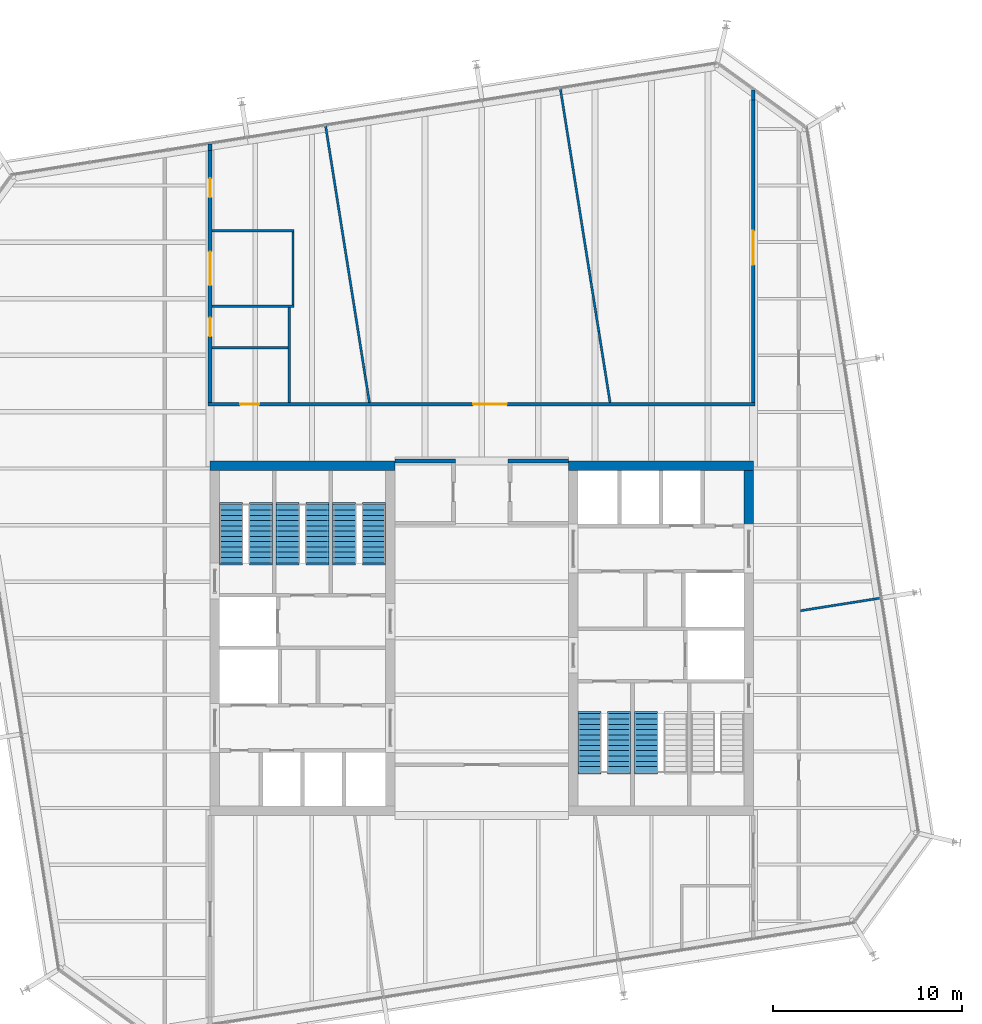
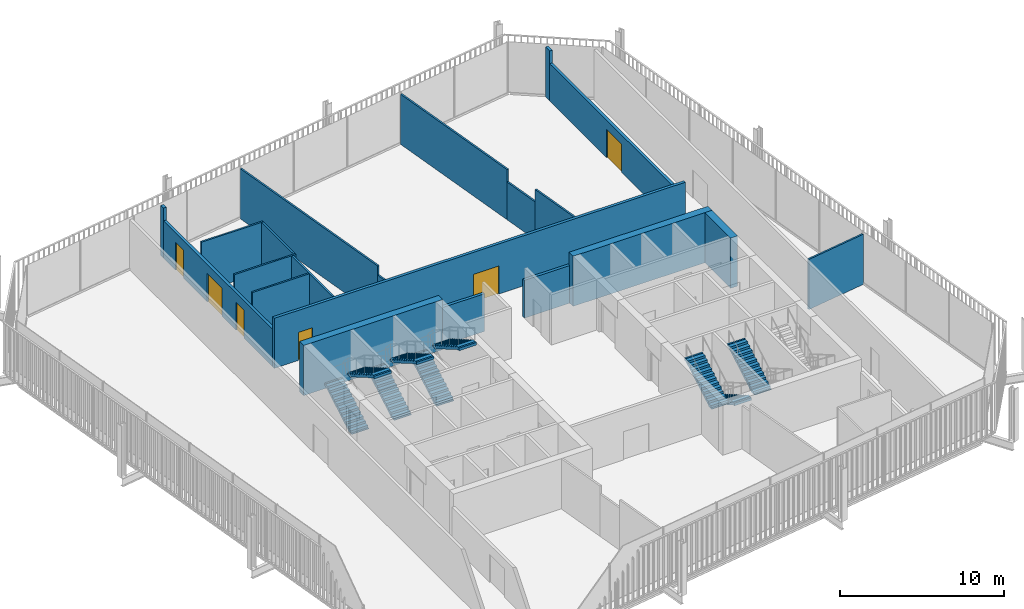
# One storey, part 18 of 20: 21 walls, 9 stair flights, 6 doors, 6 openings, 5 elements without a shape of their own.
"""IFC4 building model written with IfcOpenShell, lengths in metres."""

from ifc_helpers import new_model, si_unit, direction, frame, frame_2d, origin, place, context, subcontext, project, spatial, polyline, rectangle, outline, extrude, material, layer, layer_set, type_object, element, fill, aggregate, save


model = new_model("IFC4")

# Units and contexts
model_context = context("Model", 3, precision=1e-05, world=origin(), true_north=direction((0.0, 1.0)))
body_context = subcontext(model_context, "Body", "Model", "MODEL_VIEW")
ifc_project = project(units=[si_unit("LENGTHUNIT", "METRE"), si_unit("AREAUNIT", "SQUARE_METRE"), si_unit("VOLUMEUNIT", "CUBIC_METRE"), si_unit("PLANEANGLEUNIT", "RADIAN"), si_unit("MASSUNIT", "GRAM", prefix="KILO")], contexts=[model_context])

# Site, building, storey
site_placement = place(None, origin())
site = spatial("IfcSite", under=ifc_project, at=site_placement, CompositionType="ELEMENT")
building_placement = place(site_placement, origin())
building = spatial("IfcBuilding", under=site, at=building_placement, Name="Millrace Tower", CompositionType="ELEMENT")
storey_placement = place(building_placement, frame((0.0, 0.0, 232.0)))
storey = spatial("IfcBuildingStorey", under=building, at=storey_placement, Name="L53", CompositionType="ELEMENT", Elevation=232.0)

# Walls
ifc_material_1 = material(Name="Concrete C60", Category="concrete")
ifc_layer_1 = layer(ifc_material_1, 0.5)
ifc_layer_set_1 = layer_set([ifc_layer_1], Name="Concrete C60")
wall_type_1 = type_object("IfcWallType", Name="Core wall 500 Concrete C60", PredefinedType="SHEAR", material=ifc_layer_set_1)
for number, where, z_axis, x_axis, name in (
    (1, (-14.39990234375, 9.14990234375, 0.0), (0.0, 0.0, 1.0), (1.0, 0.0, 0.0), "Core wall W L53"),
    (2, (14.39990234375, 9.14990234375, 0.0), (0.0, 0.0, 1.0), (-1.0, 0.0, 0.0), "Core wall E L53"),
):
    element("IfcWall", number, at=place(storey_placement, frame(where, z_axis=z_axis, x_axis=x_axis)), inside=storey, type_object=wall_type_1, Name=name, PredefinedType="SHEAR", context=body_context, shape_type="SweptSolid", body=[
        extrude(rectangle(XDim=9.7998046875, YDim=0.5, at=frame_2d((4.89990234375, 0.0))), origin(), (0.0, 0.0, 1.0), 3.739990234375),
    ])
wall_1_placement = place(storey_placement, frame((14.14990234375, 8.89990234375, 0.0), z_axis=(0.0, 0.0, 1.0), x_axis=(0.0, -1.0, 0.0)))
element("IfcWall", 3, at=wall_1_placement, inside=storey, type_object=wall_type_1, Name="Core wall E L53", PredefinedType="SHEAR", context=body_context, shape_type="SweptSolid", body=[
    extrude(rectangle(XDim=3.14990234375, YDim=0.5, at=frame_2d((1.574951171875, 0.0))), origin(), (0.0, 0.0, 1.0), 3.739990234375),
])
ifc_material_2 = material(Name="Masonry partition, fire-rated", Category="masonry")
ifc_layer_2 = layer(ifc_material_2, 0.199951171875)
ifc_layer_set_2 = layer_set([ifc_layer_2], Name="Masonry partition, fire-rated")
wall_type_2 = type_object("IfcWallType", Name="Corridor wall 200", PredefinedType="PARTITIONING", material=ifc_layer_set_2)
for number, where, z_axis, x_axis, name in (
    (4, (-4.60009765625, 9.39990234375, 0.0), (0.0, 0.0, 1.0), (1.0, 0.0, 0.0), "Corridor wall L53"),
    (5, (1.39990234375, 9.39990234375, 0.0), (0.0, 0.0, 1.0), (1.0, 0.0, 0.0), "Corridor wall L53"),
):
    element("IfcWall", number, at=place(storey_placement, frame(where, z_axis=z_axis, x_axis=x_axis)), inside=storey, type_object=wall_type_2, Name=name, PredefinedType="PARTITIONING", context=body_context, shape_type="SweptSolid", body=[
        extrude(rectangle(XDim=3.2001953125, YDim=0.199951171875, at=frame_2d((1.60009765625, 0.0))), origin(), (0.0, 0.0, 1.0), 2.81298828125),
    ])

# Wall, openings, doors
wall_2_placement = place(storey_placement, frame((-14.5, 12.39990234375, 0.0), z_axis=(0.0, 0.0, 1.0), x_axis=(1.0, 0.0, 0.0)))
wall_2 = element("IfcWall", 6, at=wall_2_placement, inside=storey, type_object=wall_type_2, Name="Corridor wall L53", PredefinedType="PARTITIONING", context=body_context, shape_type="SweptSolid", body=[
    extrude(rectangle(XDim=29.0, YDim=0.199951171875, at=frame_2d((14.5, 0.0))), origin(), (0.0, 0.0, 1.0), 3.739990234375),
])
opening_1_placement = place(wall_2_placement, frame((1.699951171875, 0.0, 0.0)))
opening_1 = element("IfcOpeningElement", 7, at=opening_1_placement, cuts=wall_2, Name="Opening 53-P005", PredefinedType="OPENING", context=body_context, shape_type="SweptSolid", body=[
    extrude(rectangle(XDim=1.0, YDim=2.10009765625, at=frame_2d((0.5, 1.050048828125))), frame((0.0, 0.10986328125, 0.0), z_axis=(0.0, -1.0, 0.0), x_axis=(1.0, 0.0, 0.0)), (0.0, 0.0, 1.0), 0.219970703125),
])
opening_2_placement = place(wall_2_placement, frame((14.04052734375, 0.0, 0.0)))
opening_2 = element("IfcOpeningElement", 8, at=opening_2_placement, cuts=wall_2, Name="Opening 53-P008", PredefinedType="OPENING", context=body_context, shape_type="SweptSolid", body=[
    extrude(rectangle(XDim=1.800048828125, YDim=2.10009765625, at=frame_2d((0.89990234375, 1.050048828125))), frame((0.0, 0.10986328125, 0.0), z_axis=(0.0, -1.0, 0.0), x_axis=(1.0, 0.0, 0.0)), (0.0, 0.0, 1.0), 0.219970703125),
])
ifc_material_3 = material(Name="Steel door set, fire-rated", Category="steel")
door_type_1 = type_object("IfcDoorType", Name="Corridor door 1000 x 2100", OperationType="SINGLE_SWING_LEFT", PredefinedType="DOOR", material=ifc_material_3)
door_1_placement = place(opening_1_placement, origin())
door_1 = element("IfcDoor", 9, at=door_1_placement, inside=storey, type_object=door_type_1, Name="Door 53-P005", OperationType="SINGLE_SWING_LEFT", OverallHeight=2.10009765625, OverallWidth=1.0, PredefinedType="DOOR", context=body_context, shape_type="SweptSolid", body=[
    extrude(rectangle(XDim=1.0, YDim=2.10009765625, at=frame_2d((0.5, 1.050048828125))), frame((0.0, 0.02490234375, 0.0), z_axis=(0.0, -1.0, 0.0), x_axis=(1.0, 0.0, 0.0)), (0.0, 0.0, 1.0), 0.050048828125),
])
fill(opening_1, door_1)
ifc_material_4 = material(Name="Steel door set, fire-rated", Category="steel")
door_type_2 = type_object("IfcDoorType", Name="Corridor door 1800 x 2100", OperationType="DOUBLE_DOOR_SINGLE_SWING", PredefinedType="DOOR", material=ifc_material_4)
door_2_placement = place(opening_2_placement, frame((1.800048828125, 0.0, 0.0), z_axis=(0.0, 0.0, 1.0), x_axis=(-1.0, 0.0, 0.0)))
door_2 = element("IfcDoor", 10, at=door_2_placement, inside=storey, type_object=door_type_2, Name="Door 53-P008", OperationType="DOUBLE_DOOR_SINGLE_SWING", OverallHeight=2.10009765625, OverallWidth=1.800048828125, PredefinedType="DOOR", context=body_context, shape_type="SweptSolid", body=[
    extrude(rectangle(XDim=1.800048828125, YDim=2.10009765625, at=frame_2d((0.89990234375, 1.050048828125))), frame((0.0, 0.02490234375, 0.0), z_axis=(0.0, -1.0, 0.0), x_axis=(1.0, 0.0, 0.0)), (0.0, 0.0, 1.0), 0.050048828125),
])
fill(opening_2, door_2)

# Wall, opening, door
wall_3_placement = place(storey_placement, frame((14.39990234375, 12.5, 0.0), z_axis=(0.0, 0.0, 1.0), x_axis=(0.0, 1.0, 0.0)))
wall_3 = element("IfcWall", 11, at=wall_3_placement, inside=storey, type_object=wall_type_2, Name="Corridor wall L53", PredefinedType="PARTITIONING", context=body_context, shape_type="SweptSolid", body=[
    extrude(rectangle(XDim=16.040771484375, YDim=0.199951171875, at=frame_2d((8.0205078125, 0.0))), origin(), (0.0, 0.0, 1.0), 2.79248046875),
])
opening_3_placement = place(wall_3_placement, frame((7.298095703125, 0.0, 0.0)))
opening_3 = element("IfcOpeningElement", 12, at=opening_3_placement, cuts=wall_3, Name="Opening 53-P009", PredefinedType="OPENING", context=body_context, shape_type="SweptSolid", body=[
    extrude(rectangle(XDim=1.800048828125, YDim=2.10009765625, at=frame_2d((0.89990234375, 1.050048828125))), frame((0.0, 0.10986328125, 0.0), z_axis=(0.0, -1.0, 0.0), x_axis=(1.0, 0.0, 0.0)), (0.0, 0.0, 1.0), 0.219970703125),
])
door_3_placement = place(opening_3_placement, frame((1.800048828125, 0.0, 0.0), z_axis=(0.0, 0.0, 1.0), x_axis=(-1.0, 0.0, 0.0)))
door_3 = element("IfcDoor", 13, at=door_3_placement, inside=storey, type_object=door_type_2, Name="Door 53-P009", OperationType="DOUBLE_DOOR_SINGLE_SWING", OverallHeight=2.10009765625, OverallWidth=1.800048828125, PredefinedType="DOOR", context=body_context, shape_type="SweptSolid", body=[
    extrude(rectangle(XDim=1.800048828125, YDim=2.10009765625, at=frame_2d((0.89990234375, 1.050048828125))), frame((0.0, 0.02490234375, 0.0), z_axis=(0.0, -1.0, 0.0), x_axis=(1.0, 0.0, 0.0)), (0.0, 0.0, 1.0), 0.050048828125),
])
fill(opening_3, door_3)

# Wall
wall_4_placement = place(storey_placement, frame((14.39990234375, 28.540771484375, 0.0), z_axis=(0.0, 0.0, 1.0), x_axis=(0.0, 1.0, 0.0)))
element("IfcWall", 14, at=wall_4_placement, inside=storey, type_object=wall_type_2, Name="Corridor wall L53", PredefinedType="PARTITIONING", context=body_context, shape_type="SweptSolid", body=[
    extrude(rectangle(XDim=0.51708984375, YDim=0.199951171875, at=frame_2d((0.258544921875, 0.0))), origin(), (0.0, 0.0, 1.0), 3.739990234375),
])

# Wall, openings, doors
wall_5_placement = place(storey_placement, frame((-14.39990234375, 12.5, 0.0), z_axis=(0.0, 0.0, 1.0), x_axis=(0.0, 1.0, 0.0)))
wall_5 = element("IfcWall", 15, at=wall_5_placement, inside=storey, type_object=wall_type_2, Name="Corridor wall L53", PredefinedType="PARTITIONING", context=body_context, shape_type="SweptSolid", body=[
    extrude(rectangle(XDim=13.3486328125, YDim=0.199951171875, at=frame_2d((6.67431640625, 0.0))), origin(), (0.0, 0.0, 1.0), 2.79248046875),
])
opening_4_placement = place(wall_5_placement, frame((10.8740234375, 0.0, 0.0)))
opening_4 = element("IfcOpeningElement", 16, at=opening_4_placement, cuts=wall_5, Name="Opening 53-P004", PredefinedType="OPENING", context=body_context, shape_type="SweptSolid", body=[
    extrude(rectangle(XDim=1.0, YDim=2.10009765625, at=frame_2d((0.5, 1.050048828125))), frame((0.0, 0.10986328125, 0.0), z_axis=(0.0, -1.0, 0.0), x_axis=(1.0, 0.0, 0.0)), (0.0, 0.0, 1.0), 0.219970703125),
])
opening_5_placement = place(wall_5_placement, frame((3.5, 0.0, 0.0)))
opening_5 = element("IfcOpeningElement", 17, at=opening_5_placement, cuts=wall_5, Name="Opening 53-P006", PredefinedType="OPENING", context=body_context, shape_type="SweptSolid", body=[
    extrude(rectangle(XDim=1.0, YDim=2.10009765625, at=frame_2d((0.5, 1.050048828125))), frame((0.0, 0.10986328125, 0.0), z_axis=(0.0, -1.0, 0.0), x_axis=(1.0, 0.0, 0.0)), (0.0, 0.0, 1.0), 0.219970703125),
])
opening_6_placement = place(wall_5_placement, frame((6.199951171875, 0.0, 0.0)))
opening_6 = element("IfcOpeningElement", 18, at=opening_6_placement, cuts=wall_5, Name="Opening 53-P007", PredefinedType="OPENING", context=body_context, shape_type="SweptSolid", body=[
    extrude(rectangle(XDim=1.800048828125, YDim=2.10009765625, at=frame_2d((0.89990234375, 1.050048828125))), frame((0.0, 0.10986328125, 0.0), z_axis=(0.0, -1.0, 0.0), x_axis=(1.0, 0.0, 0.0)), (0.0, 0.0, 1.0), 0.219970703125),
])
door_4_placement = place(opening_4_placement, frame((1.0, 0.0, 0.0), z_axis=(0.0, 0.0, 1.0), x_axis=(-1.0, 0.0, 0.0)))
door_4 = element("IfcDoor", 19, at=door_4_placement, inside=storey, type_object=door_type_1, Name="Door 53-P004", OperationType="SINGLE_SWING_LEFT", OverallHeight=2.10009765625, OverallWidth=1.0, PredefinedType="DOOR", context=body_context, shape_type="SweptSolid", body=[
    extrude(rectangle(XDim=1.0, YDim=2.10009765625, at=frame_2d((0.5, 1.050048828125))), frame((0.0, 0.02490234375, 0.0), z_axis=(0.0, -1.0, 0.0), x_axis=(1.0, 0.0, 0.0)), (0.0, 0.0, 1.0), 0.050048828125),
])
fill(opening_4, door_4)
door_5_placement = place(opening_5_placement, frame((1.0, 0.0, 0.0), z_axis=(0.0, 0.0, 1.0), x_axis=(-1.0, 0.0, 0.0)))
door_5 = element("IfcDoor", 20, at=door_5_placement, inside=storey, type_object=door_type_1, Name="Door 53-P006", OperationType="SINGLE_SWING_RIGHT", OverallHeight=2.10009765625, OverallWidth=1.0, PredefinedType="DOOR", context=body_context, shape_type="SweptSolid", body=[
    extrude(rectangle(XDim=1.0, YDim=2.10009765625, at=frame_2d((0.5, 1.050048828125))), frame((0.0, 0.02490234375, 0.0), z_axis=(0.0, -1.0, 0.0), x_axis=(1.0, 0.0, 0.0)), (0.0, 0.0, 1.0), 0.050048828125),
])
fill(opening_5, door_5)
door_6_placement = place(opening_6_placement, frame((1.800048828125, 0.0, 0.0), z_axis=(0.0, 0.0, 1.0), x_axis=(-1.0, 0.0, 0.0)))
door_6 = element("IfcDoor", 21, at=door_6_placement, inside=storey, type_object=door_type_2, Name="Door 53-P007", OperationType="DOUBLE_DOOR_SINGLE_SWING", OverallHeight=2.10009765625, OverallWidth=1.800048828125, PredefinedType="DOOR", context=body_context, shape_type="SweptSolid", body=[
    extrude(rectangle(XDim=1.800048828125, YDim=2.10009765625, at=frame_2d((0.89990234375, 1.050048828125))), frame((0.0, 0.02490234375, 0.0), z_axis=(0.0, -1.0, 0.0), x_axis=(1.0, 0.0, 0.0)), (0.0, 0.0, 1.0), 0.050048828125),
])
fill(opening_6, door_6)

# Walls
wall_6_placement = place(storey_placement, frame((-14.39990234375, 25.8486328125, 0.0), z_axis=(0.0, 0.0, 1.0), x_axis=(0.0, 1.0, 0.0)))
element("IfcWall", 22, at=wall_6_placement, inside=storey, type_object=wall_type_2, Name="Corridor wall L53", PredefinedType="PARTITIONING", context=body_context, shape_type="SweptSolid", body=[
    extrude(rectangle(XDim=0.349609375, YDim=0.199951171875, at=frame_2d((0.1748046875, 0.0))), origin(), (0.0, 0.0, 1.0), 3.739990234375),
])
ifc_material_5 = material(Name="Gypsum board partition")
ifc_layer_3 = layer(ifc_material_5, 0.1201171875)
ifc_layer_set_3 = layer_set([ifc_layer_3], Name="Gypsum board partition")
wall_type_3 = type_object("IfcWallType", Name="Partition wall 120", PredefinedType="PARTITIONING", material=ifc_layer_set_3)
wall_7_placement = place(storey_placement, frame((-8.27685546875, 27.16796875, 0.0), z_axis=(0.0, 0.0, 1.0), x_axis=(0.156426233908, -0.987689644243, 0.0)))
element("IfcWall", 23, at=wall_7_placement, inside=storey, type_object=wall_type_3, Name="Partition wall L53", PredefinedType="PARTITIONING", context=body_context, shape_type="SweptSolid", body=[
    extrude(rectangle(XDim=13.356689453125, YDim=0.1201171875, at=frame_2d((6.67822265625, 0.0))), origin(), (0.0, 0.0, 1.0), 3.739990234375),
])
wall_8_placement = place(storey_placement, frame((-6.1875, 13.9755859375, 0.0), z_axis=(0.0, 0.0, 1.0), x_axis=(0.156423716504, -0.987690042936, 0.0)))
element("IfcWall", 24, at=wall_8_placement, inside=storey, type_object=wall_type_3, Name="Partition wall L53", PredefinedType="PARTITIONING", context=body_context, shape_type="SweptSolid", body=[
    extrude(rectangle(XDim=1.4951171875, YDim=0.1201171875, at=frame_2d((0.74755859375, 0.0))), origin(), (0.0, 0.0, 1.0), 3.046630859375),
])
wall_9_placement = place(storey_placement, frame((4.168212890625, 29.13916015625, 0.0), z_axis=(0.0, 0.0, 1.0), x_axis=(0.156414369749, -0.987691523167, 0.0)))
element("IfcWall", 25, at=wall_9_placement, inside=storey, type_object=wall_type_3, Name="Partition wall L53", PredefinedType="PARTITIONING", context=body_context, shape_type="SweptSolid", body=[
    extrude(rectangle(XDim=10.35009765625, YDim=0.1201171875, at=frame_2d((5.175048828125, 0.0))), origin(), (0.0, 0.0, 1.0), 3.739990234375),
])
wall_10_placement = place(storey_placement, frame((5.787109375, 18.91650390625, 0.0), z_axis=(0.0, 0.0, 1.0), x_axis=(0.156381577148, -0.987696715763, 0.0)))
element("IfcWall", 26, at=wall_10_placement, inside=storey, type_object=wall_type_3, Name="Partition wall L53", PredefinedType="PARTITIONING", context=body_context, shape_type="SweptSolid", body=[
    extrude(rectangle(XDim=2.72265625, YDim=0.1201171875, at=frame_2d((1.361328125, 0.0))), origin(), (0.0, 0.0, 1.0), 2.81298828125),
])
wall_11_placement = place(storey_placement, frame((6.212890625, 16.227294921875, 0.0), z_axis=(0.0, 0.0, 1.0), x_axis=(0.15644410697, -0.987686813415, 0.0)))
element("IfcWall", 27, at=wall_11_placement, inside=storey, type_object=wall_type_3, Name="Partition wall L53", PredefinedType="PARTITIONING", context=body_context, shape_type="SweptSolid", body=[
    extrude(rectangle(XDim=3.77490234375, YDim=0.1201171875, at=frame_2d((1.887451171875, 0.0))), origin(), (0.0, 0.0, 1.0), 3.739990234375),
])
wall_12_placement = place(storey_placement, frame((-14.300048828125, 15.39990234375, 0.0), z_axis=(0.0, 0.0, 1.0), x_axis=(1.0, 0.0, 0.0)))
element("IfcWall", 28, at=wall_12_placement, inside=storey, type_object=wall_type_3, Name="Partition wall L53", PredefinedType="PARTITIONING", context=body_context, shape_type="SweptSolid", body=[
    extrude(rectangle(XDim=4.0400390625, YDim=0.1201171875, at=frame_2d((2.02001953125, 0.0))), origin(), (0.0, 0.0, 1.0), 3.739990234375),
])
for number, where, z_axis, x_axis, name in (
    (29, (-14.300048828125, 17.60009765625, 0.0), (0.0, 0.0, 1.0), (1.0, 0.0, 0.0), "Partition wall L53"),
    (30, (-14.300048828125, 21.60009765625, 0.0), (0.0, 0.0, 1.0), (1.0, 0.0, 0.0), "Partition wall L53"),
):
    element("IfcWall", number, at=place(storey_placement, frame(where, z_axis=z_axis, x_axis=x_axis)), inside=storey, type_object=wall_type_3, Name=name, PredefinedType="PARTITIONING", context=body_context, shape_type="SweptSolid", body=[
        extrude(rectangle(XDim=4.360107421875, YDim=0.1201171875, at=frame_2d((2.18017578125, 0.0))), origin(), (0.0, 0.0, 1.0), 3.739990234375),
    ])
wall_13_placement = place(storey_placement, frame((16.898681640625, 1.459716796875, 0.0), z_axis=(0.0, 0.0, 1.0), x_axis=(0.987700537399, 0.156357438014, 0.0)))
element("IfcWall", 31, at=wall_13_placement, inside=storey, type_object=wall_type_3, Name="Partition wall L53", PredefinedType="PARTITIONING", context=body_context, shape_type="SweptSolid", body=[
    extrude(rectangle(XDim=4.2861328125, YDim=0.1201171875, at=frame_2d((2.14306640625, 0.0))), origin(), (0.0, 0.0, 1.0), 3.739990234375),
])
wall_14_placement = place(storey_placement, frame((-10.0, 17.659912109375, 0.0), z_axis=(0.0, 0.0, 1.0), x_axis=(0.0, 1.0, 0.0)))
element("IfcWall", 32, at=wall_14_placement, inside=storey, type_object=wall_type_3, Name="Partition wall L53", PredefinedType="PARTITIONING", context=body_context, shape_type="SweptSolid", body=[
    extrude(rectangle(XDim=3.880126953125, YDim=0.1201171875, at=frame_2d((1.93994140625, 0.0))), origin(), (0.0, 0.0, 1.0), 3.739990234375),
])
wall_15_placement = place(storey_placement, frame((-10.199951171875, 12.5, 0.0), z_axis=(0.0, 0.0, 1.0), x_axis=(0.0, 1.0, 0.0)))
element("IfcWall", 33, at=wall_15_placement, inside=storey, type_object=wall_type_3, Name="Partition wall L53", PredefinedType="PARTITIONING", context=body_context, shape_type="SweptSolid", body=[
    extrude(rectangle(XDim=5.0400390625, YDim=0.1201171875, at=frame_2d((2.52001953125, 0.0))), origin(), (0.0, 0.0, 1.0), 3.739990234375),
])

# Stair, stair flights
ifc_material_6 = material(Name="Concrete C35", Category="concrete")
stair_type = type_object("IfcStairType", Name="Exit stair", PredefinedType="HALF_TURN_STAIR", material=ifc_material_6)
placement = place(storey_placement, origin())
stair_1 = element("IfcStair", 34, at=placement, inside=storey, type_object=stair_type, Name="Stair 1 W L53", PredefinedType="HALF_TURN_STAIR")
ifc_material_7 = material(Name="Concrete C35", Category="concrete")
stair_flight_type = type_object("IfcStairFlightType", Name="Exit stair flight", PredefinedType="STRAIGHT", material=ifc_material_7)
stair_flight_1_placement = place(storey_placement, frame((-13.2900390625, 4.0, 0.0), z_axis=(0.0, 0.0, 1.0), x_axis=(0.0, 1.0, 0.0)))
stair_flight_1 = element("IfcStairFlight", 35, at=stair_flight_1_placement, type_object=stair_flight_type, Name="ST12 flight 1", NumberOfRisers=12, NumberOfTreads=11, PredefinedType="STRAIGHT", RiserHeight=0.1625, TreadLength=0.28, context=body_context, shape_type="SweptSolid", body=[
    extrude(outline(polyline([(-0.1201171875, -0.0400390625), (-0.1201171875, 0.0), (0.0, 0.0), (0.0, 0.16259765625), (0.280029296875, 0.16259765625), (0.280029296875, 0.324951171875), (0.56005859375, 0.324951171875), (0.56005859375, 0.487548828125), (0.840087890625, 0.487548828125), (0.840087890625, 0.64990234375), (1.1201171875, 0.64990234375), (1.1201171875, 0.8125), (1.39990234375, 0.8125), (1.39990234375, 0.97509765625), (1.679931640625, 0.97509765625), (1.679931640625, 1.137451171875), (1.9599609375, 1.137451171875), (1.9599609375, 1.300048828125), (2.239990234375, 1.300048828125), (2.239990234375, 1.46240234375), (2.52001953125, 1.46240234375), (2.52001953125, 1.625), (2.800048828125, 1.625), (2.800048828125, 1.78759765625), (3.080078125, 1.78759765625), (3.080078125, 1.8076171875), (3.199951171875, 1.8076171875), (3.199951171875, 1.6142578125), (3.080078125, 1.6142578125), (0.298583984375, 0.0), (0.298583984375, -0.0400390625), (-0.1201171875, -0.0400390625)])), frame((0.0, 0.60986328125, 0.0), z_axis=(0.0, -1.0, 0.0), x_axis=(1.0, 0.0, 0.0)), (0.0, 0.0, 1.0), 1.219970703125),
])
stair_flight_2_placement = place(storey_placement, frame((-11.7099609375, 7.080078125, 1.949951171875), z_axis=(0.0, 0.0, 1.0), x_axis=(0.0, -1.0, 0.0)))
stair_flight_2 = element("IfcStairFlight", 36, at=stair_flight_2_placement, type_object=stair_flight_type, Name="ST12 flight 2", NumberOfRisers=12, NumberOfTreads=11, PredefinedType="STRAIGHT", RiserHeight=0.1625, TreadLength=0.28, context=body_context, shape_type="SweptSolid", body=[
    extrude(outline(polyline([(-0.1201171875, -0.0400390625), (-0.1201171875, 0.0), (0.0, 0.0), (0.0, 0.16259765625), (0.280029296875, 0.16259765625), (0.280029296875, 0.324951171875), (0.56005859375, 0.324951171875), (0.56005859375, 0.487548828125), (0.840087890625, 0.487548828125), (0.840087890625, 0.64990234375), (1.1201171875, 0.64990234375), (1.1201171875, 0.8125), (1.39990234375, 0.8125), (1.39990234375, 0.97509765625), (1.679931640625, 0.97509765625), (1.679931640625, 1.137451171875), (1.9599609375, 1.137451171875), (1.9599609375, 1.300048828125), (2.239990234375, 1.300048828125), (2.239990234375, 1.46240234375), (2.52001953125, 1.46240234375), (2.52001953125, 1.625), (2.800048828125, 1.625), (2.800048828125, 1.78759765625), (3.080078125, 1.78759765625), (3.080078125, 1.8076171875), (3.199951171875, 1.8076171875), (3.199951171875, 1.6142578125), (3.080078125, 1.6142578125), (0.298583984375, 0.0), (0.298583984375, -0.0400390625), (-0.1201171875, -0.0400390625)])), frame((0.0, 0.60986328125, 0.0), z_axis=(0.0, -1.0, 0.0), x_axis=(1.0, 0.0, 0.0)), (0.0, 0.0, 1.0), 1.219970703125),
])
aggregate(stair_1, [stair_flight_1, stair_flight_2])

stair_2 = element("IfcStair", 37, at=placement, inside=storey, type_object=stair_type, Name="Stair 2 W L53", PredefinedType="HALF_TURN_STAIR")
stair_flight_3_placement = place(storey_placement, frame((-10.2900390625, 4.0, 0.0), z_axis=(0.0, 0.0, 1.0), x_axis=(0.0, 1.0, 0.0)))
stair_flight_3 = element("IfcStairFlight", 38, at=stair_flight_3_placement, type_object=stair_flight_type, Name="ST12 flight 1", NumberOfRisers=12, NumberOfTreads=11, PredefinedType="STRAIGHT", RiserHeight=0.1625, TreadLength=0.28, context=body_context, shape_type="SweptSolid", body=[
    extrude(outline(polyline([(-0.1201171875, -0.0400390625), (-0.1201171875, 0.0), (0.0, 0.0), (0.0, 0.16259765625), (0.280029296875, 0.16259765625), (0.280029296875, 0.324951171875), (0.56005859375, 0.324951171875), (0.56005859375, 0.487548828125), (0.840087890625, 0.487548828125), (0.840087890625, 0.64990234375), (1.1201171875, 0.64990234375), (1.1201171875, 0.8125), (1.39990234375, 0.8125), (1.39990234375, 0.97509765625), (1.679931640625, 0.97509765625), (1.679931640625, 1.137451171875), (1.9599609375, 1.137451171875), (1.9599609375, 1.300048828125), (2.239990234375, 1.300048828125), (2.239990234375, 1.46240234375), (2.52001953125, 1.46240234375), (2.52001953125, 1.625), (2.800048828125, 1.625), (2.800048828125, 1.78759765625), (3.080078125, 1.78759765625), (3.080078125, 1.8076171875), (3.199951171875, 1.8076171875), (3.199951171875, 1.6142578125), (3.080078125, 1.6142578125), (0.298583984375, 0.0), (0.298583984375, -0.0400390625), (-0.1201171875, -0.0400390625)])), frame((0.0, 0.60986328125, 0.0), z_axis=(0.0, -1.0, 0.0), x_axis=(1.0, 0.0, 0.0)), (0.0, 0.0, 1.0), 1.219970703125),
])
stair_flight_4_placement = place(storey_placement, frame((-8.7099609375, 7.080078125, 1.949951171875), z_axis=(0.0, 0.0, 1.0), x_axis=(0.0, -1.0, 0.0)))
stair_flight_4 = element("IfcStairFlight", 39, at=stair_flight_4_placement, type_object=stair_flight_type, Name="ST12 flight 2", NumberOfRisers=12, NumberOfTreads=11, PredefinedType="STRAIGHT", RiserHeight=0.1625, TreadLength=0.28, context=body_context, shape_type="SweptSolid", body=[
    extrude(outline(polyline([(-0.1201171875, -0.0400390625), (-0.1201171875, 0.0), (0.0, 0.0), (0.0, 0.16259765625), (0.280029296875, 0.16259765625), (0.280029296875, 0.324951171875), (0.56005859375, 0.324951171875), (0.56005859375, 0.487548828125), (0.840087890625, 0.487548828125), (0.840087890625, 0.64990234375), (1.1201171875, 0.64990234375), (1.1201171875, 0.8125), (1.39990234375, 0.8125), (1.39990234375, 0.97509765625), (1.679931640625, 0.97509765625), (1.679931640625, 1.137451171875), (1.9599609375, 1.137451171875), (1.9599609375, 1.300048828125), (2.239990234375, 1.300048828125), (2.239990234375, 1.46240234375), (2.52001953125, 1.46240234375), (2.52001953125, 1.625), (2.800048828125, 1.625), (2.800048828125, 1.78759765625), (3.080078125, 1.78759765625), (3.080078125, 1.8076171875), (3.199951171875, 1.8076171875), (3.199951171875, 1.6142578125), (3.080078125, 1.6142578125), (0.298583984375, 0.0), (0.298583984375, -0.0400390625), (-0.1201171875, -0.0400390625)])), frame((0.0, 0.60986328125, 0.0), z_axis=(0.0, -1.0, 0.0), x_axis=(1.0, 0.0, 0.0)), (0.0, 0.0, 1.0), 1.219970703125),
])
aggregate(stair_2, [stair_flight_3, stair_flight_4])

stair_3 = element("IfcStair", 40, at=placement, inside=storey, type_object=stair_type, Name="Stair 3 W L53", PredefinedType="HALF_TURN_STAIR")
stair_flight_5_placement = place(storey_placement, frame((-7.2900390625, 4.0, 0.0), z_axis=(0.0, 0.0, 1.0), x_axis=(0.0, 1.0, 0.0)))
stair_flight_5 = element("IfcStairFlight", 41, at=stair_flight_5_placement, type_object=stair_flight_type, Name="ST12 flight 1", NumberOfRisers=12, NumberOfTreads=11, PredefinedType="STRAIGHT", RiserHeight=0.1625, TreadLength=0.28, context=body_context, shape_type="SweptSolid", body=[
    extrude(outline(polyline([(-0.1201171875, -0.0400390625), (-0.1201171875, 0.0), (0.0, 0.0), (0.0, 0.16259765625), (0.280029296875, 0.16259765625), (0.280029296875, 0.324951171875), (0.56005859375, 0.324951171875), (0.56005859375, 0.487548828125), (0.840087890625, 0.487548828125), (0.840087890625, 0.64990234375), (1.1201171875, 0.64990234375), (1.1201171875, 0.8125), (1.39990234375, 0.8125), (1.39990234375, 0.97509765625), (1.679931640625, 0.97509765625), (1.679931640625, 1.137451171875), (1.9599609375, 1.137451171875), (1.9599609375, 1.300048828125), (2.239990234375, 1.300048828125), (2.239990234375, 1.46240234375), (2.52001953125, 1.46240234375), (2.52001953125, 1.625), (2.800048828125, 1.625), (2.800048828125, 1.78759765625), (3.080078125, 1.78759765625), (3.080078125, 1.8076171875), (3.199951171875, 1.8076171875), (3.199951171875, 1.6142578125), (3.080078125, 1.6142578125), (0.298583984375, 0.0), (0.298583984375, -0.0400390625), (-0.1201171875, -0.0400390625)])), frame((0.0, 0.60986328125, 0.0), z_axis=(0.0, -1.0, 0.0), x_axis=(1.0, 0.0, 0.0)), (0.0, 0.0, 1.0), 1.219970703125),
])
stair_flight_6_placement = place(storey_placement, frame((-5.7099609375, 7.080078125, 1.949951171875), z_axis=(0.0, 0.0, 1.0), x_axis=(0.0, -1.0, 0.0)))
stair_flight_6 = element("IfcStairFlight", 42, at=stair_flight_6_placement, type_object=stair_flight_type, Name="ST12 flight 2", NumberOfRisers=12, NumberOfTreads=11, PredefinedType="STRAIGHT", RiserHeight=0.1625, TreadLength=0.28, context=body_context, shape_type="SweptSolid", body=[
    extrude(outline(polyline([(-0.1201171875, -0.0400390625), (-0.1201171875, 0.0), (0.0, 0.0), (0.0, 0.16259765625), (0.280029296875, 0.16259765625), (0.280029296875, 0.324951171875), (0.56005859375, 0.324951171875), (0.56005859375, 0.487548828125), (0.840087890625, 0.487548828125), (0.840087890625, 0.64990234375), (1.1201171875, 0.64990234375), (1.1201171875, 0.8125), (1.39990234375, 0.8125), (1.39990234375, 0.97509765625), (1.679931640625, 0.97509765625), (1.679931640625, 1.137451171875), (1.9599609375, 1.137451171875), (1.9599609375, 1.300048828125), (2.239990234375, 1.300048828125), (2.239990234375, 1.46240234375), (2.52001953125, 1.46240234375), (2.52001953125, 1.625), (2.800048828125, 1.625), (2.800048828125, 1.78759765625), (3.080078125, 1.78759765625), (3.080078125, 1.8076171875), (3.199951171875, 1.8076171875), (3.199951171875, 1.6142578125), (3.080078125, 1.6142578125), (0.298583984375, 0.0), (0.298583984375, -0.0400390625), (-0.1201171875, -0.0400390625)])), frame((0.0, 0.60986328125, 0.0), z_axis=(0.0, -1.0, 0.0), x_axis=(1.0, 0.0, 0.0)), (0.0, 0.0, 1.0), 1.219970703125),
])
aggregate(stair_3, [stair_flight_5, stair_flight_6])

# Stair, stair flight
stair_4 = element("IfcStair", 43, at=placement, inside=storey, type_object=stair_type, Name="Stair 2 E L53", PredefinedType="HALF_TURN_STAIR")
stair_flight_7_placement = place(storey_placement, frame((8.7099609375, -7.080078125, 1.949951171875), z_axis=(0.0, 0.0, 1.0), x_axis=(0.0, 1.0, 0.0)))
stair_flight_7 = element("IfcStairFlight", 44, at=stair_flight_7_placement, type_object=stair_flight_type, Name="ST12 flight 2", NumberOfRisers=12, NumberOfTreads=11, PredefinedType="STRAIGHT", RiserHeight=0.1625, TreadLength=0.28, context=body_context, shape_type="SweptSolid", body=[
    extrude(outline(polyline([(-0.1201171875, -0.0400390625), (-0.1201171875, 0.0), (0.0, 0.0), (0.0, 0.16259765625), (0.280029296875, 0.16259765625), (0.280029296875, 0.324951171875), (0.56005859375, 0.324951171875), (0.56005859375, 0.487548828125), (0.840087890625, 0.487548828125), (0.840087890625, 0.64990234375), (1.1201171875, 0.64990234375), (1.1201171875, 0.8125), (1.39990234375, 0.8125), (1.39990234375, 0.97509765625), (1.679931640625, 0.97509765625), (1.679931640625, 1.137451171875), (1.9599609375, 1.137451171875), (1.9599609375, 1.300048828125), (2.239990234375, 1.300048828125), (2.239990234375, 1.46240234375), (2.52001953125, 1.46240234375), (2.52001953125, 1.625), (2.800048828125, 1.625), (2.800048828125, 1.78759765625), (3.080078125, 1.78759765625), (3.080078125, 1.8076171875), (3.199951171875, 1.8076171875), (3.199951171875, 1.6142578125), (3.080078125, 1.6142578125), (0.298583984375, 0.0), (0.298583984375, -0.0400390625), (-0.1201171875, -0.0400390625)])), frame((0.0, 0.60986328125, 0.0), z_axis=(0.0, -1.0, 0.0), x_axis=(1.0, 0.0, 0.0)), (0.0, 0.0, 1.0), 1.219970703125),
])
aggregate(stair_4, [stair_flight_7])

# Stair, stair flights
stair_5 = element("IfcStair", 45, at=placement, inside=storey, type_object=stair_type, Name="Stair 3 E L53", PredefinedType="HALF_TURN_STAIR")
stair_flight_8_placement = place(storey_placement, frame((7.2900390625, -4.0, 0.0), z_axis=(0.0, 0.0, 1.0), x_axis=(0.0, -1.0, 0.0)))
stair_flight_8 = element("IfcStairFlight", 46, at=stair_flight_8_placement, type_object=stair_flight_type, Name="ST12 flight 1", NumberOfRisers=12, NumberOfTreads=11, PredefinedType="STRAIGHT", RiserHeight=0.1625, TreadLength=0.28, context=body_context, shape_type="SweptSolid", body=[
    extrude(outline(polyline([(-0.1201171875, -0.0400390625), (-0.1201171875, 0.0), (0.0, 0.0), (0.0, 0.16259765625), (0.280029296875, 0.16259765625), (0.280029296875, 0.324951171875), (0.56005859375, 0.324951171875), (0.56005859375, 0.487548828125), (0.840087890625, 0.487548828125), (0.840087890625, 0.64990234375), (1.1201171875, 0.64990234375), (1.1201171875, 0.8125), (1.39990234375, 0.8125), (1.39990234375, 0.97509765625), (1.679931640625, 0.97509765625), (1.679931640625, 1.137451171875), (1.9599609375, 1.137451171875), (1.9599609375, 1.300048828125), (2.239990234375, 1.300048828125), (2.239990234375, 1.46240234375), (2.52001953125, 1.46240234375), (2.52001953125, 1.625), (2.800048828125, 1.625), (2.800048828125, 1.78759765625), (3.080078125, 1.78759765625), (3.080078125, 1.8076171875), (3.199951171875, 1.8076171875), (3.199951171875, 1.6142578125), (3.080078125, 1.6142578125), (0.298583984375, 0.0), (0.298583984375, -0.0400390625), (-0.1201171875, -0.0400390625)])), frame((0.0, 0.60986328125, 0.0), z_axis=(0.0, -1.0, 0.0), x_axis=(1.0, 0.0, 0.0)), (0.0, 0.0, 1.0), 1.219970703125),
])
stair_flight_9_placement = place(storey_placement, frame((5.7099609375, -7.080078125, 1.949951171875), z_axis=(0.0, 0.0, 1.0), x_axis=(0.0, 1.0, 0.0)))
stair_flight_9 = element("IfcStairFlight", 47, at=stair_flight_9_placement, type_object=stair_flight_type, Name="ST12 flight 2", NumberOfRisers=12, NumberOfTreads=11, PredefinedType="STRAIGHT", RiserHeight=0.1625, TreadLength=0.28, context=body_context, shape_type="SweptSolid", body=[
    extrude(outline(polyline([(-0.1201171875, -0.0400390625), (-0.1201171875, 0.0), (0.0, 0.0), (0.0, 0.16259765625), (0.280029296875, 0.16259765625), (0.280029296875, 0.324951171875), (0.56005859375, 0.324951171875), (0.56005859375, 0.487548828125), (0.840087890625, 0.487548828125), (0.840087890625, 0.64990234375), (1.1201171875, 0.64990234375), (1.1201171875, 0.8125), (1.39990234375, 0.8125), (1.39990234375, 0.97509765625), (1.679931640625, 0.97509765625), (1.679931640625, 1.137451171875), (1.9599609375, 1.137451171875), (1.9599609375, 1.300048828125), (2.239990234375, 1.300048828125), (2.239990234375, 1.46240234375), (2.52001953125, 1.46240234375), (2.52001953125, 1.625), (2.800048828125, 1.625), (2.800048828125, 1.78759765625), (3.080078125, 1.78759765625), (3.080078125, 1.8076171875), (3.199951171875, 1.8076171875), (3.199951171875, 1.6142578125), (3.080078125, 1.6142578125), (0.298583984375, 0.0), (0.298583984375, -0.0400390625), (-0.1201171875, -0.0400390625)])), frame((0.0, 0.60986328125, 0.0), z_axis=(0.0, -1.0, 0.0), x_axis=(1.0, 0.0, 0.0)), (0.0, 0.0, 1.0), 1.219970703125),
])
aggregate(stair_5, [stair_flight_8, stair_flight_9])

save(model, "model.ifc")
